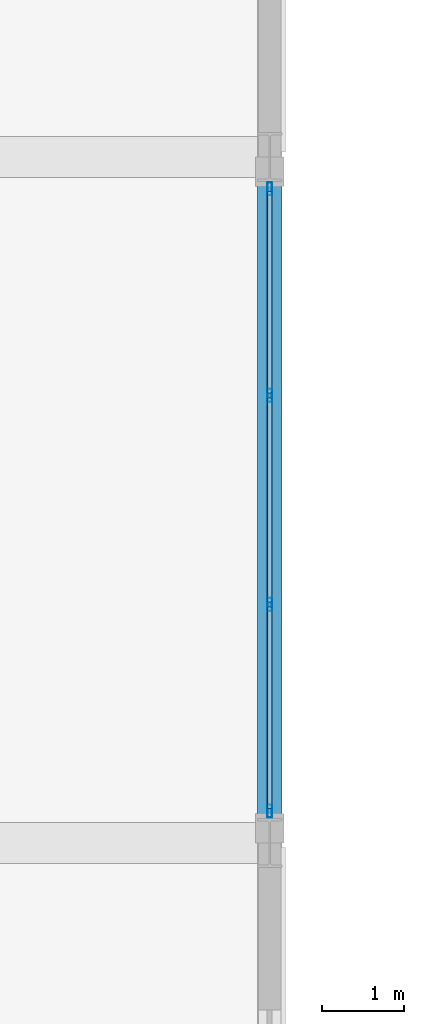
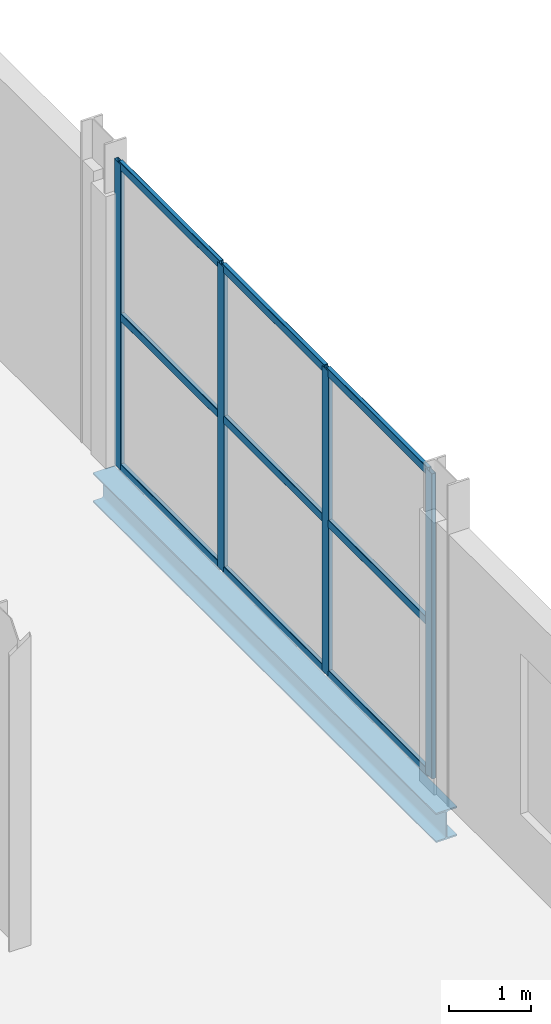
# One storey, part 74 of 120: 13 members, 1 beam, 1 element without a shape of its own.
"""IFC4 building model written with IfcOpenShell, lengths in metres."""

from ifc_helpers import new_model, si_unit, direction, frame, origin, origin_2d, place, context, subcontext, project, spatial, hollow_rectangle, i_section, extrude, material, layer, layer_set, material_profile, profile_set, type_object, element, aggregate, save


model = new_model("IFC4")

# Units and contexts
model_context = context("Model", 3, precision=1e-05, world=origin(), true_north=direction((0.0, 1.0)))
body_context = subcontext(model_context, "Body", "Model", "MODEL_VIEW")
ifc_project = project(units=[si_unit("LENGTHUNIT", "METRE"), si_unit("AREAUNIT", "SQUARE_METRE"), si_unit("VOLUMEUNIT", "CUBIC_METRE"), si_unit("PLANEANGLEUNIT", "RADIAN"), si_unit("MASSUNIT", "GRAM", prefix="KILO")], contexts=[model_context])

# Site, building, storey
site_placement = place(None, origin())
site = spatial("IfcSite", under=ifc_project, at=site_placement, CompositionType="ELEMENT")
building_placement = place(site_placement, origin())
building = spatial("IfcBuilding", under=site, at=building_placement, Name="Vekula Escarpment Museum", CompositionType="ELEMENT")
storey_placement = place(building_placement, frame((0.0, 0.0, 13.199951171875)))
storey = spatial("IfcBuildingStorey", under=building, at=storey_placement, Name="L03", CompositionType="ELEMENT", Elevation=13.199951171875)

# Beam
ifc_material_1 = material(Name="Steel S355", Category="steel")
ifc_material_profile_1 = material_profile(ifc_material_1, i_section(OverallWidth=0.300048828125, OverallDepth=0.43994140625, WebThickness=0.011474609375, FlangeThickness=0.02099609375, FilletRadius=0.027099609375, at=origin_2d()), Name="HEA 450")
ifc_profile_set_1 = profile_set([ifc_material_profile_1], Name="Steel S355")
beam_type = type_object("IfcBeamType", Name="BM-SPAN-HEA450", PredefinedType="SPANDREL", material=ifc_profile_set_1)
beam_placement = place(storey_placement, frame((198.0, 68.0, -0.5), z_axis=(0.0, 1.0, 0.0), x_axis=(-1.0, 0.0, 0.0)))
element("IfcBeam", 1, at=beam_placement, inside=storey, type_object=beam_type, Name="Cumba East Spandrel L03 2376", PredefinedType="SPANDREL", context=body_context, shape_type="SweptSolid", body=[
    extrude(i_section(OverallWidth=0.300048828125, OverallDepth=0.43994140625, WebThickness=0.011474609375, FlangeThickness=0.02099609375, FilletRadius=0.027099609375, at=origin_2d()), origin(), (0.0, 0.0, 1.0), 8.39990234375),
])

# Curtain wall, members
ifc_material_2 = material(Name="Aluminium thermally broken framing", Category="aluminium")
ifc_layer = layer(ifc_material_2, 0.159912109375)
ifc_layer_set = layer_set([ifc_layer], Name="Aluminium thermally broken framing")
curtain_wall_type = type_object("IfcCurtainWallType", Name="CW-SYS-05", PredefinedType="NOTDEFINED", material=ifc_layer_set)
curtain_wall_placement = place(storey_placement, origin())
curtain_wall = element("IfcCurtainWall", 2, at=curtain_wall_placement, inside=storey, type_object=curtain_wall_type, Name="Curtain Wall CW-L03-115", PredefinedType="NOTDEFINED")
ifc_material_3 = material(Name="Aluminium anodized mullion", Category="aluminium")
ifc_material_profile_2 = material_profile(ifc_material_3, hollow_rectangle(XDim=0.06005859375, YDim=0.159912109375, WallThickness=0.00390625, InnerFilletRadius=0.00390625, OuterFilletRadius=0.008056640625, at=origin_2d()), Name="ALU 160x60x4")
ifc_profile_set_2 = profile_set([ifc_material_profile_2], Name="Aluminium anodized mullion")
member_type_1 = type_object("IfcMemberType", Name="CW-MUL-160", PredefinedType="MULLION", material=ifc_profile_set_2)
member_1_placement = place(storey_placement, frame((198.0, 68.389892578125, 0.0), z_axis=(0.0, 0.0, 1.0), x_axis=(-1.0, 0.0, 0.0)))
member_1 = element("IfcMember", 3, at=member_1_placement, type_object=member_type_1, Name="CW-05 mullion 1", PredefinedType="MULLION", context=body_context, shape_type="SweptSolid", body=[
    extrude(hollow_rectangle(XDim=0.06005859375, YDim=0.159912109375, WallThickness=0.00390625, InnerFilletRadius=0.00390625, OuterFilletRadius=0.008056640625, at=origin_2d()), origin(), (0.0, 0.0, 1.0), 4.56005859375),
])
member_2_placement = place(storey_placement, frame((198.0, 70.919921875, 0.0), z_axis=(0.0, 0.0, 1.0), x_axis=(-1.0, 0.0, 0.0)))
member_2 = element("IfcMember", 4, at=member_2_placement, type_object=member_type_1, Name="CW-05 mullion 2", PredefinedType="MULLION", context=body_context, shape_type="SweptSolid", body=[
    extrude(hollow_rectangle(XDim=0.06005859375, YDim=0.159912109375, WallThickness=0.00390625, InnerFilletRadius=0.00390625, OuterFilletRadius=0.008056640625, at=origin_2d()), origin(), (0.0, 0.0, 1.0), 4.56005859375),
])
member_3_placement = place(storey_placement, frame((198.0, 73.47998046875, 0.0), z_axis=(0.0, 0.0, 1.0), x_axis=(-1.0, 0.0, 0.0)))
member_3 = element("IfcMember", 5, at=member_3_placement, type_object=member_type_1, Name="CW-05 mullion 3", PredefinedType="MULLION", context=body_context, shape_type="SweptSolid", body=[
    extrude(hollow_rectangle(XDim=0.06005859375, YDim=0.159912109375, WallThickness=0.00390625, InnerFilletRadius=0.00390625, OuterFilletRadius=0.008056640625, at=origin_2d()), origin(), (0.0, 0.0, 1.0), 4.56005859375),
])
member_4_placement = place(storey_placement, frame((198.0, 76.010009765625, 0.0), z_axis=(0.0, 0.0, 1.0), x_axis=(-1.0, 0.0, 0.0)))
member_4 = element("IfcMember", 6, at=member_4_placement, type_object=member_type_1, Name="CW-05 mullion 4", PredefinedType="MULLION", context=body_context, shape_type="SweptSolid", body=[
    extrude(hollow_rectangle(XDim=0.06005859375, YDim=0.159912109375, WallThickness=0.00390625, InnerFilletRadius=0.00390625, OuterFilletRadius=0.008056640625, at=origin_2d()), origin(), (0.0, 0.0, 1.0), 4.56005859375),
])
ifc_material_4 = material(Name="Aluminium anodized transom", Category="aluminium")
ifc_material_profile_3 = material_profile(ifc_material_4, hollow_rectangle(XDim=0.06005859375, YDim=0.1201171875, WallThickness=0.00390625, InnerFilletRadius=0.00390625, OuterFilletRadius=0.008056640625, at=origin_2d()), Name="ALU 120x60x4")
ifc_profile_set_3 = profile_set([ifc_material_profile_3], Name="Aluminium anodized transom")
member_type_2 = type_object("IfcMemberType", Name="CW-TRN-120", PredefinedType="USERDEFINED", material=ifc_profile_set_3)
member_5_placement = place(storey_placement, frame((198.0, 68.419921875, 0.030029296875), z_axis=(0.0, 1.0, 0.0), x_axis=(-1.0, 0.0, 0.0)))
member_5 = element("IfcMember", 7, at=member_5_placement, type_object=member_type_2, Name="CW-05 transom 1.1", ObjectType="TRANSOM", PredefinedType="USERDEFINED", context=body_context, shape_type="SweptSolid", body=[
    extrude(hollow_rectangle(XDim=0.06005859375, YDim=0.1201171875, WallThickness=0.00390625, InnerFilletRadius=0.00390625, OuterFilletRadius=0.008056640625, at=origin_2d()), origin(), (0.0, 0.0, 1.0), 2.469970703125),
])
member_6_placement = place(storey_placement, frame((198.0, 68.419921875, 2.280029296875), z_axis=(0.0, 1.0, 0.0), x_axis=(-1.0, 0.0, 0.0)))
member_6 = element("IfcMember", 8, at=member_6_placement, type_object=member_type_2, Name="CW-05 transom 1.2", ObjectType="TRANSOM", PredefinedType="USERDEFINED", context=body_context, shape_type="SweptSolid", body=[
    extrude(hollow_rectangle(XDim=0.06005859375, YDim=0.1201171875, WallThickness=0.00390625, InnerFilletRadius=0.00390625, OuterFilletRadius=0.008056640625, at=origin_2d()), origin(), (0.0, 0.0, 1.0), 2.469970703125),
])
member_7_placement = place(storey_placement, frame((198.0, 68.419921875, 4.530029296875), z_axis=(0.0, 1.0, 0.0), x_axis=(-1.0, 0.0, 0.0)))
member_7 = element("IfcMember", 9, at=member_7_placement, type_object=member_type_2, Name="CW-05 transom 1.3", ObjectType="TRANSOM", PredefinedType="USERDEFINED", context=body_context, shape_type="SweptSolid", body=[
    extrude(hollow_rectangle(XDim=0.06005859375, YDim=0.1201171875, WallThickness=0.00390625, InnerFilletRadius=0.00390625, OuterFilletRadius=0.008056640625, at=origin_2d()), origin(), (0.0, 0.0, 1.0), 2.469970703125),
])
member_8_placement = place(storey_placement, frame((198.0, 70.949951171875, 0.030029296875), z_axis=(0.0, 1.0, 0.0), x_axis=(-1.0, 0.0, 0.0)))
member_8 = element("IfcMember", 10, at=member_8_placement, type_object=member_type_2, Name="CW-05 transom 2.1", ObjectType="TRANSOM", PredefinedType="USERDEFINED", context=body_context, shape_type="SweptSolid", body=[
    extrude(hollow_rectangle(XDim=0.06005859375, YDim=0.1201171875, WallThickness=0.00390625, InnerFilletRadius=0.00390625, OuterFilletRadius=0.008056640625, at=origin_2d()), origin(), (0.0, 0.0, 1.0), 2.5),
])
member_9_placement = place(storey_placement, frame((198.0, 70.949951171875, 2.280029296875), z_axis=(0.0, 1.0, 0.0), x_axis=(-1.0, 0.0, 0.0)))
member_9 = element("IfcMember", 11, at=member_9_placement, type_object=member_type_2, Name="CW-05 transom 2.2", ObjectType="TRANSOM", PredefinedType="USERDEFINED", context=body_context, shape_type="SweptSolid", body=[
    extrude(hollow_rectangle(XDim=0.06005859375, YDim=0.1201171875, WallThickness=0.00390625, InnerFilletRadius=0.00390625, OuterFilletRadius=0.008056640625, at=origin_2d()), origin(), (0.0, 0.0, 1.0), 2.5),
])
member_10_placement = place(storey_placement, frame((198.0, 70.949951171875, 4.530029296875), z_axis=(0.0, 1.0, 0.0), x_axis=(-1.0, 0.0, 0.0)))
member_10 = element("IfcMember", 12, at=member_10_placement, type_object=member_type_2, Name="CW-05 transom 2.3", ObjectType="TRANSOM", PredefinedType="USERDEFINED", context=body_context, shape_type="SweptSolid", body=[
    extrude(hollow_rectangle(XDim=0.06005859375, YDim=0.1201171875, WallThickness=0.00390625, InnerFilletRadius=0.00390625, OuterFilletRadius=0.008056640625, at=origin_2d()), origin(), (0.0, 0.0, 1.0), 2.5),
])
member_11_placement = place(storey_placement, frame((198.0, 73.510009765625, 0.030029296875), z_axis=(0.0, 1.0, 0.0), x_axis=(-1.0, 0.0, 0.0)))
member_11 = element("IfcMember", 13, at=member_11_placement, type_object=member_type_2, Name="CW-05 transom 3.1", ObjectType="TRANSOM", PredefinedType="USERDEFINED", context=body_context, shape_type="SweptSolid", body=[
    extrude(hollow_rectangle(XDim=0.06005859375, YDim=0.1201171875, WallThickness=0.00390625, InnerFilletRadius=0.00390625, OuterFilletRadius=0.008056640625, at=origin_2d()), origin(), (0.0, 0.0, 1.0), 2.469970703125),
])
member_12_placement = place(storey_placement, frame((198.0, 73.510009765625, 2.280029296875), z_axis=(0.0, 1.0, 0.0), x_axis=(-1.0, 0.0, 0.0)))
member_12 = element("IfcMember", 14, at=member_12_placement, type_object=member_type_2, Name="CW-05 transom 3.2", ObjectType="TRANSOM", PredefinedType="USERDEFINED", context=body_context, shape_type="SweptSolid", body=[
    extrude(hollow_rectangle(XDim=0.06005859375, YDim=0.1201171875, WallThickness=0.00390625, InnerFilletRadius=0.00390625, OuterFilletRadius=0.008056640625, at=origin_2d()), origin(), (0.0, 0.0, 1.0), 2.469970703125),
])
member_13_placement = place(storey_placement, frame((198.0, 73.510009765625, 4.530029296875), z_axis=(0.0, 1.0, 0.0), x_axis=(-1.0, 0.0, 0.0)))
member_13 = element("IfcMember", 15, at=member_13_placement, type_object=member_type_2, Name="CW-05 transom 3.3", ObjectType="TRANSOM", PredefinedType="USERDEFINED", context=body_context, shape_type="SweptSolid", body=[
    extrude(hollow_rectangle(XDim=0.06005859375, YDim=0.1201171875, WallThickness=0.00390625, InnerFilletRadius=0.00390625, OuterFilletRadius=0.008056640625, at=origin_2d()), origin(), (0.0, 0.0, 1.0), 2.469970703125),
])
aggregate(curtain_wall, [member_1, member_2, member_3, member_4, member_5, member_6, member_7, member_8, member_9, member_10, member_11, member_12, member_13])

save(model, "model.ifc")
